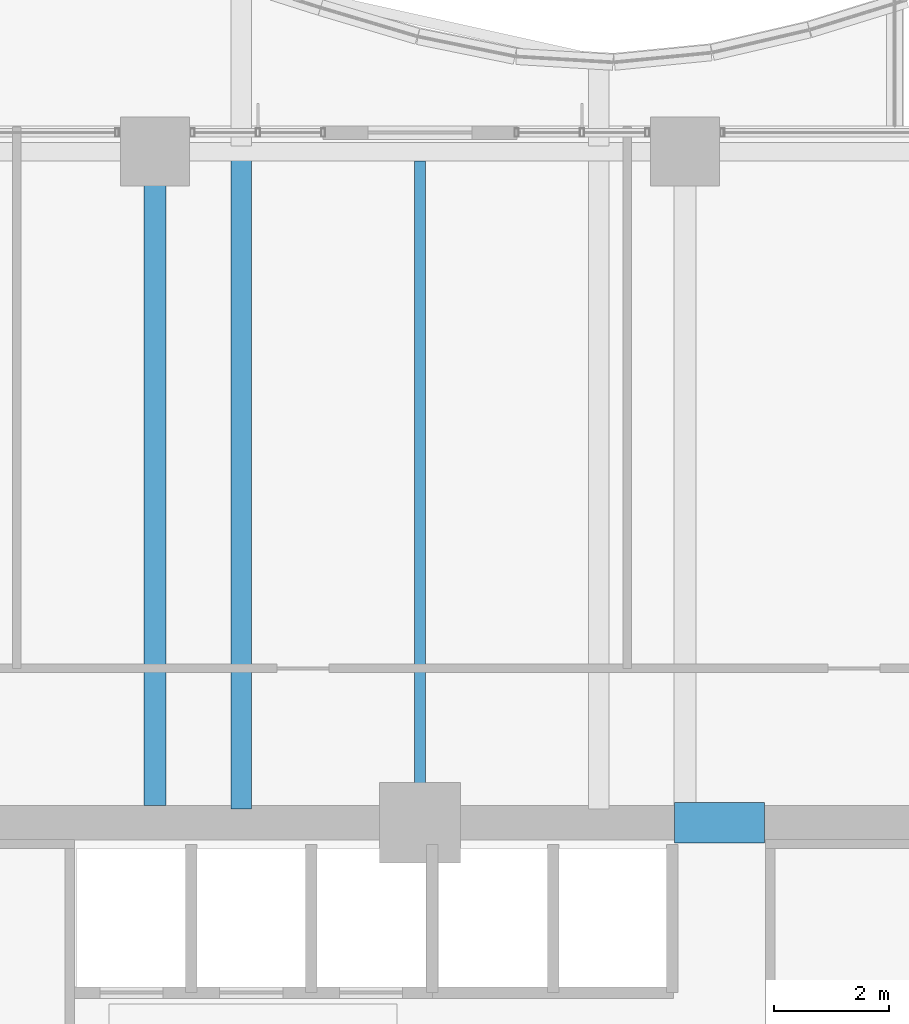
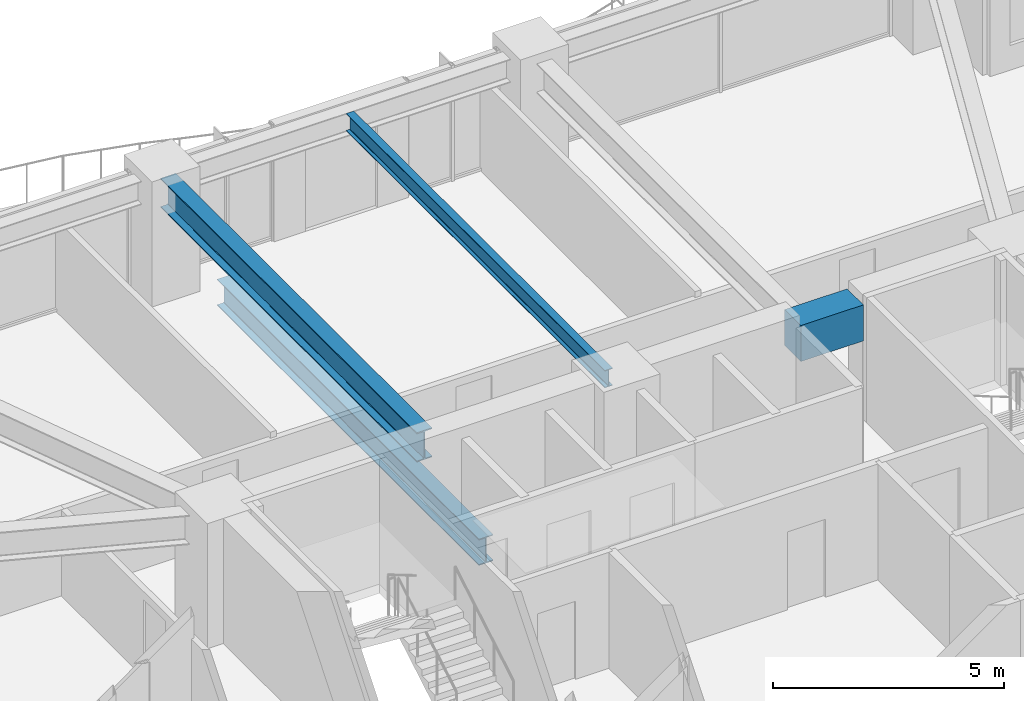
# One storey, part 20 of 38: 4 beams.
"""IFC4 building model written with IfcOpenShell, lengths in metres."""

import ifcopenshell
import ifcopenshell.guid

model = None  # the IFC model being written
_history = None  # IfcOwnerHistory: only IFC2X3 demands one
_inside = {}  # id of a spatial element -> (the spatial element, [elements in it])
_under = {}  # id of a project, library or spatial element -> (it, [spatial elements below it])
_declared = {}  # id of a project -> (the project, [libraries it declares])
_typed = {}  # id of a type object -> (the type object, [elements of that type])
_made_of = {}  # id of a material, layer set ... -> (it, [elements and type objects made of it])


def new_model(schema):
    """Start an empty IFC model of exactly this schema.

    Asked for "IFC4X3", IfcOpenShell would pick the latest addendum, in which some entities
    have other attributes; the version numbers below select the first issue.
    IFC2X3 requires an IfcOwnerHistory on every rooted entity: one is made here for all.
    """
    global model, _history
    if schema == "IFC4X3":
        model = ifcopenshell.file(schema_version=(4, 3, 0, 0))
    else:
        model = ifcopenshell.file(schema=schema)
    _inside.clear()
    _under.clear()
    _declared.clear()
    _typed.clear()
    _made_of.clear()
    _history = None
    if model.schema == "IFC2X3":
        org = make("IfcOrganization", Name="unknown")
        user = make(
            "IfcPersonAndOrganization",
            ThePerson=make("IfcPerson", FamilyName="unknown"),
            TheOrganization=org,
        )
        app = make(
            "IfcApplication",
            ApplicationDeveloper=org,
            Version="unknown",
            ApplicationFullName="unknown",
            ApplicationIdentifier="unknown",
        )
        _history = make(
            "IfcOwnerHistory",
            OwningUser=user,
            OwningApplication=app,
            ChangeAction="ADDED",
            CreationDate=0,
        )
    return model


def make(cls, **values):
    """One entity of the class cls with the attributes given. An attribute that is None is left unset."""
    return model.create_entity(
        cls, **{name: value for name, value in values.items() if value is not None}
    )


def rooted(cls, **values):
    """An entity with a GlobalId (a new one), such as an element, a storey or a relation."""
    return make(cls, GlobalId=ifcopenshell.guid.new(), OwnerHistory=_history, **values)


def si_unit(unit_type, name, prefix=None):
    """IfcSIUnit, for example si_unit("LENGTHUNIT", "METRE", prefix="MILLI")."""
    return make("IfcSIUnit", UnitType=unit_type, Prefix=prefix, Name=name)


def assignment(units):
    """IfcUnitAssignment: the units of a project."""
    return None if units is None else make("IfcUnitAssignment", Units=units)


def point(xyz):
    """IfcCartesianPoint."""
    return None if xyz is None else make("IfcCartesianPoint", Coordinates=xyz)


def direction(xyz):
    """IfcDirection."""
    return None if xyz is None else make("IfcDirection", DirectionRatios=xyz)


def frame(location, z_axis=None, x_axis=None):
    """IfcAxis2Placement3D, a coordinate frame: its origin and axes. An axis left out is left unset."""
    return make(
        "IfcAxis2Placement3D",
        Location=point(location),
        Axis=direction(z_axis),
        RefDirection=direction(x_axis),
    )


def frame_2d(location, x_axis=None):
    """IfcAxis2Placement2D, a coordinate frame in the plane: its origin and x axis."""
    return make(
        "IfcAxis2Placement2D", Location=point(location), RefDirection=direction(x_axis)
    )


def origin():
    """The frame at (0, 0, 0) with its axes left unset."""
    return frame((0.0, 0.0, 0.0))


def origin_2d():
    """The frame at (0, 0) in the plane with its x axis left unset."""
    return frame_2d((0.0, 0.0))


def place(relative_to, where):
    """IfcLocalPlacement: puts the frame where relative to a parent placement (None: the world)."""
    return make(
        "IfcLocalPlacement", PlacementRelTo=relative_to, RelativePlacement=where
    )


def context(
    kind, dimensions, precision=None, world=None, true_north=None, identifier=None
):
    """IfcGeometricRepresentationContext, for example the 3D "Model" context."""
    return make(
        "IfcGeometricRepresentationContext",
        ContextIdentifier=identifier,
        ContextType=kind,
        CoordinateSpaceDimension=dimensions,
        Precision=precision,
        WorldCoordinateSystem=world,
        TrueNorth=true_north,
    )


def subcontext(parent, identifier, kind, view, scale=None):
    """IfcGeometricRepresentationSubContext, for example "Body" below "Model"."""
    return make(
        "IfcGeometricRepresentationSubContext",
        ContextIdentifier=identifier,
        ContextType=kind,
        ParentContext=parent,
        TargetScale=scale,
        TargetView=view,
    )


def project(units=None, contexts=None):
    """IfcProject with its units and contexts."""
    return rooted(
        "IfcProject",
        Name="project",
        RepresentationContexts=contexts,
        UnitsInContext=assignment(units),
    )


def spatial(cls, under=None, at=None, **own):
    """A site, building, storey or space (cls), placed at a placement, below another one or the project."""
    s = rooted(cls, ObjectPlacement=at, **own)
    if under is not None:
        _under.setdefault(under.id(), (under, []))[1].append(s)
    return s


def profile(cls, at=None, kind="AREA", **sizes):
    """A parametric profile (cls). Its sizes go by their IFC names, for example OverallWidth=200.0."""
    return make(cls, ProfileType=kind, Position=at, **sizes)


def rectangle(**sizes):
    """IfcRectangleProfileDef."""
    return profile("IfcRectangleProfileDef", **sizes)


def i_section(**sizes):
    """IfcIShapeProfileDef."""
    return profile("IfcIShapeProfileDef", **sizes)


def extrude(swept, where, along, depth):
    """IfcExtrudedAreaSolid: the profile swept, set in the frame where, extruded along a direction by depth."""
    return make(
        "IfcExtrudedAreaSolid",
        SweptArea=swept,
        Position=where,
        ExtrudedDirection=direction(along),
        Depth=depth,
    )


def shape(context_of_items, identifier, shape_type, items):
    """IfcShapeRepresentation: the items that make up one representation, for example the "Body"."""
    return make(
        "IfcShapeRepresentation",
        ContextOfItems=context_of_items,
        RepresentationIdentifier=identifier,
        RepresentationType=shape_type,
        Items=items,
    )


def material(Name=None, Category=None):
    """IfcMaterial."""
    return make("IfcMaterial", Name=Name, Category=Category)


def material_profile(
    of_material, cross_section, Name=None, Category=None, Priority=None
):
    """IfcMaterialProfile: a cross section and its material."""
    return make(
        "IfcMaterialProfile",
        Name=Name,
        Material=of_material,
        Profile=cross_section,
        Priority=Priority,
        Category=Category,
    )


def profile_set(profiles, Name=None, composite=None):
    """IfcMaterialProfileSet."""
    return make(
        "IfcMaterialProfileSet",
        Name=Name,
        MaterialProfiles=profiles,
        CompositeProfile=composite,
    )


def made_of(thing, what):
    """Note that an element or type object is made of a material, layer set ...; save() writes the relation."""
    if what is not None:
        _made_of.setdefault(what.id(), (what, []))[1].append(thing)
    return thing


def type_object(cls, material=None, **own):
    """A type object (cls), such as IfcWallType, which elements share."""
    return made_of(rooted(cls, **own), material)


def element(
    cls,
    number,
    at=None,
    inside=None,
    cuts=None,
    type_object=None,
    material=None,
    context=None,
    identifier="Body",
    shape_type=None,
    held_by="IfcProductDefinitionShape",
    body=None,
    shapes=None,
    **own,
):
    """One element of the class cls, such as IfcWall. Its Tag is "e" and its number.

    at: its placement. inside: the storey or other place that contains it. cuts: it is an
    opening in that element (IfcRelVoidsElement). A single representation is given by context,
    identifier, shape_type and body (its items); several are given by shapes. held_by: the class
    of the entity that holds the representations. save() writes the other relations.
    """
    e = rooted(cls, Tag="e%d" % number, ObjectPlacement=at, **own)
    if body is not None:
        shapes = [shape(context, identifier, shape_type, body)]
    if shapes is not None:
        e.Representation = make(held_by, Representations=shapes)
    if inside is not None:
        _inside.setdefault(inside.id(), (inside, []))[1].append(e)
    if cuts is not None:
        rooted(
            "IfcRelVoidsElement", RelatingBuildingElement=cuts, RelatedOpeningElement=e
        )
    if type_object is not None:
        _typed.setdefault(type_object.id(), (type_object, []))[1].append(e)
    return made_of(e, material)


def aggregate(whole, parts):
    """IfcRelAggregates: a whole, such as a stair, and the parts it consists of."""
    return rooted("IfcRelAggregates", RelatingObject=whole, RelatedObjects=parts)


def save(model, path):
    """Write the relations noted so far, then the file.

    IfcRelAggregates (storeys below a building ...), IfcRelContainedInSpatialStructure (elements
    in a storey), IfcRelDefinesByType, IfcRelAssociatesMaterial and IfcRelDeclares: one each for
    every whole, place, type object, material and project.
    """
    for whole, parts in _under.values():
        aggregate(whole, parts)
    for where, things in _inside.values():
        rooted(
            "IfcRelContainedInSpatialStructure",
            RelatedElements=things,
            RelatingStructure=where,
        )
    for kind, things in _typed.values():
        rooted("IfcRelDefinesByType", RelatedObjects=things, RelatingType=kind)
    for what, things in _made_of.values():
        rooted("IfcRelAssociatesMaterial", RelatedObjects=things, RelatingMaterial=what)
    for by, libraries in _declared.values():
        rooted("IfcRelDeclares", RelatingContext=by, RelatedDefinitions=libraries)
    model.write(path)


model = new_model("IFC4")

# Units and contexts
model_context = context("Model", 3, precision=1e-05, world=origin(), true_north=direction((0.0, 1.0)))
body_context = subcontext(model_context, "Body", "Model", "MODEL_VIEW")
ifc_project = project(units=[si_unit("LENGTHUNIT", "METRE"), si_unit("AREAUNIT", "SQUARE_METRE"), si_unit("VOLUMEUNIT", "CUBIC_METRE"), si_unit("PLANEANGLEUNIT", "RADIAN"), si_unit("MASSUNIT", "GRAM", prefix="KILO")], contexts=[model_context])

# Site, building, storey
site_placement = place(None, origin())
site = spatial("IfcSite", under=ifc_project, at=site_placement, CompositionType="ELEMENT")
building_placement = place(site_placement, origin())
building = spatial("IfcBuilding", under=site, at=building_placement, Name="Kolvaren Belvedere", CompositionType="ELEMENT")
storey_placement = place(building_placement, frame((0.0, 0.0, 27.10009765625)))
storey = spatial("IfcBuildingStorey", under=building, at=storey_placement, Name="L07", CompositionType="ELEMENT", Elevation=27.10009765625)

# Beams
ifc_material_1 = material(Name="Structural steel ASTM A992 Grade 50", Category="steel")
ifc_material_profile_1 = material_profile(ifc_material_1, i_section(OverallWidth=0.35498046875, OverallDepth=0.696044921875, WebThickness=0.015380859375, FlangeThickness=0.02490234375, FilletRadius=0.02197265625, at=origin_2d()), Name="W27X146")
ifc_profile_set_1 = profile_set([ifc_material_profile_1], Name="Structural steel ASTM A992 Grade 50")
beam_type_1 = type_object("IfcBeamType", Name="BM-GIRD-W27X146", PredefinedType="BEAM", material=ifc_profile_set_1)
beam_1_placement = place(storey_placement, frame((-3.10009765625, 10.139892578125, -0.588134765625), z_axis=(0.0, 1.0, 0.0), x_axis=(-1.0, 0.0, 0.0)))
element("IfcBeam", 1, at=beam_1_placement, inside=storey, type_object=beam_type_1, Name="L07 Balcony Interior Back-Span Girder BAL-N-1", PredefinedType="BEAM", context=body_context, shape_type="SweptSolid", body=[
    extrude(i_section(OverallWidth=0.35498046875, OverallDepth=0.696044921875, WebThickness=0.015380859375, FlangeThickness=0.02490234375, FilletRadius=0.02197265625, at=origin_2d()), origin(), (0.0, 0.0, 1.0), 11.315185546875),
])
ifc_material_2 = material(Name="Structural steel ASTM A992 Grade 50", Category="steel")
ifc_material_profile_2 = material_profile(ifc_material_2, i_section(OverallWidth=0.381103515625, OverallDepth=0.77294921875, WebThickness=0.0166015625, FlangeThickness=0.027099609375, FilletRadius=0.02392578125, at=origin_2d()), Name="W30X173")
ifc_profile_set_2 = profile_set([ifc_material_profile_2], Name="Structural steel ASTM A992 Grade 50")
beam_type_2 = type_object("IfcBeamType", Name="BM-GIRD-W30X173", PredefinedType="BEAM", material=ifc_profile_set_2)
beam_2_placement = place(storey_placement, frame((-4.60009765625, 10.199951171875, 2.67333984375), z_axis=(0.0, 1.0, 0.0), x_axis=(-1.0, 0.0, 0.0)))
element("IfcBeam", 2, at=beam_2_placement, inside=storey, type_object=beam_type_2, Name="L07 North Radial Girder M", PredefinedType="BEAM", context=body_context, shape_type="SweptSolid", body=[
    extrude(i_section(OverallWidth=0.381103515625, OverallDepth=0.77294921875, WebThickness=0.0166015625, FlangeThickness=0.027099609375, FilletRadius=0.02392578125, at=origin_2d()), origin(), (0.0, 0.0, 1.0), 11.080078125),
])
ifc_material_3 = material(Name="Structural steel ASTM A992 Grade 50", Category="steel")
ifc_material_profile_3 = material_profile(ifc_material_3, i_section(OverallWidth=0.19091796875, OverallDepth=0.4599609375, WebThickness=0.010009765625, FlangeThickness=0.01611328125, FilletRadius=0.014892578125, at=origin_2d()), Name="W18X55")
ifc_profile_set_3 = profile_set([ifc_material_profile_3], Name="Structural steel ASTM A992 Grade 50")
beam_type_3 = type_object("IfcBeamType", Name="BM-JOIST-W18X55", PredefinedType="BEAM", material=ifc_profile_set_3)
beam_3_placement = place(storey_placement, frame((0.0, 10.199951171875, 2.829833984375), z_axis=(0.0, 1.0, 0.0), x_axis=(-1.0, 0.0, 0.0)))
element("IfcBeam", 3, at=beam_3_placement, inside=storey, type_object=beam_type_3, Name="L07 North Centre Floor Beam", PredefinedType="BEAM", context=body_context, shape_type="SweptSolid", body=[
    extrude(i_section(OverallWidth=0.19091796875, OverallDepth=0.4599609375, WebThickness=0.010009765625, FlangeThickness=0.01611328125, FilletRadius=0.014892578125, at=origin_2d()), origin(), (0.0, 0.0, 1.0), 11.1875),
])
ifc_material_4 = material(Name="Concrete C60/75", Category="concrete")
ifc_material_profile_4 = material_profile(ifc_material_4, rectangle(XDim=0.699951171875, YDim=0.949951171875, at=origin_2d()), Name="RC 700X950")
ifc_profile_set_4 = profile_set([ifc_material_profile_4], Name="Concrete C60/75")
beam_type_4 = type_object("IfcBeamType", Name="BM-LINT-950", PredefinedType="LINTEL", material=ifc_profile_set_4)
beam_4_placement = place(storey_placement, frame((4.419921875, 9.89990234375, 2.5849609375), z_axis=(1.0, 0.0, 0.0), x_axis=(0.0, 1.0, 0.0)))
element("IfcBeam", 4, at=beam_4_placement, inside=storey, type_object=beam_type_4, Name="L07 North Core Coupling Lintel", PredefinedType="LINTEL", context=body_context, shape_type="SweptSolid", body=[
    extrude(rectangle(XDim=0.699951171875, YDim=0.949951171875, at=origin_2d()), origin(), (0.0, 0.0, 1.0), 1.56005859375),
])

save(model, "model.ifc")
